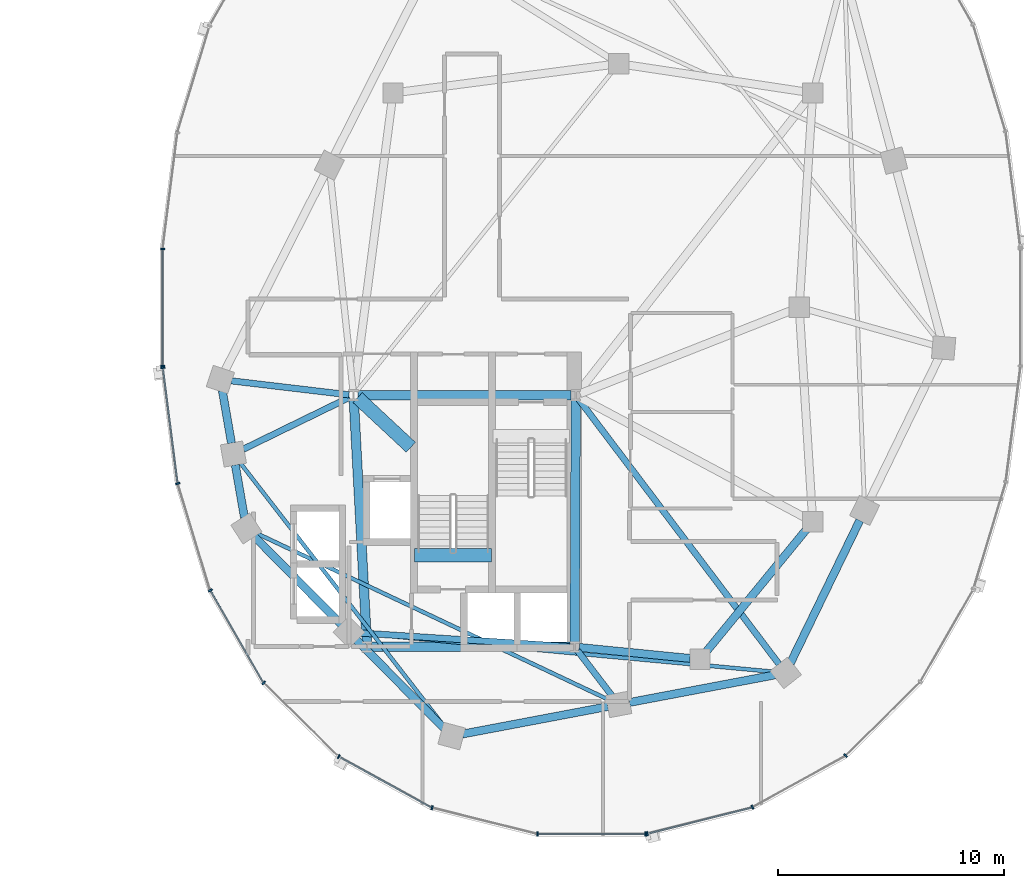
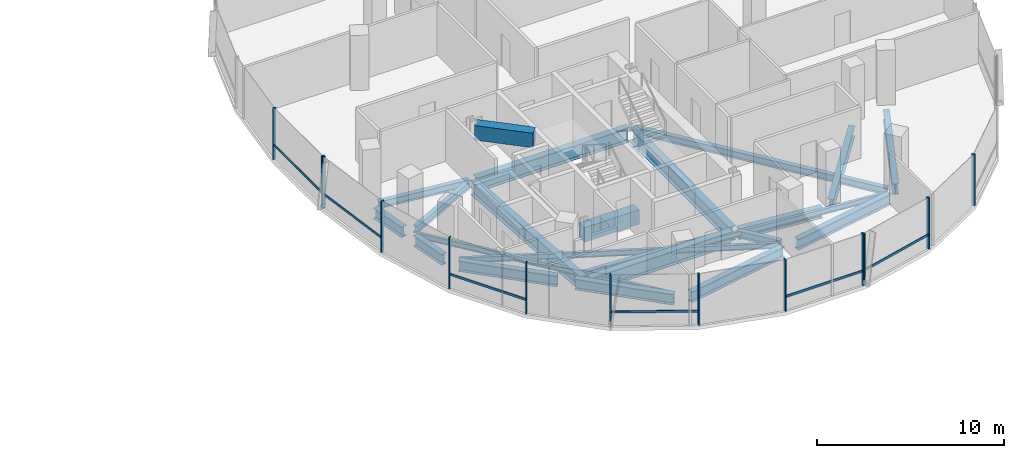
# One storey, part 6 of 23: 23 beams, 19 members, 3 elements without a shape of their own.
"""IFC4 building model written with IfcOpenShell, lengths in metres."""

from ifc_helpers import new_model, si_unit, direction, frame, origin, origin_2d, place, context, subcontext, project, spatial, rectangle, i_section, extrude, material, material_profile, profile_set, type_object, element, aggregate, save


model = new_model("IFC4")

# Units and contexts
model_context = context("Model", 3, precision=1e-05, world=origin(), true_north=direction((0.0, 1.0)))
body_context = subcontext(model_context, "Body", "Model", "MODEL_VIEW")
ifc_project = project(units=[si_unit("LENGTHUNIT", "METRE"), si_unit("AREAUNIT", "SQUARE_METRE"), si_unit("VOLUMEUNIT", "CUBIC_METRE"), si_unit("PLANEANGLEUNIT", "RADIAN"), si_unit("MASSUNIT", "GRAM", prefix="KILO"), si_unit("THERMODYNAMICTEMPERATUREUNIT", "KELVIN"), si_unit("POWERUNIT", "WATT")], contexts=[model_context])

# Site, building, storey
site_placement = place(None, origin())
site = spatial("IfcSite", under=ifc_project, at=site_placement, CompositionType="ELEMENT")
building_placement = place(site_placement, origin())
building = spatial("IfcBuilding", under=site, at=building_placement, Name="Cundina Bronze Exchange", CompositionType="ELEMENT")
storey_placement = place(building_placement, frame((0.0, 0.0, 176.39990234375)))
storey = spatial("IfcBuildingStorey", under=building, at=storey_placement, Name="L46", CompositionType="ELEMENT", Elevation=176.39990234375)

# Beams
ifc_material_1 = material(Name="Concrete C60/75", Category="concrete")
ifc_material_profile_1 = material_profile(ifc_material_1, rectangle(XDim=0.60009765625, YDim=0.949951171875, at=origin_2d()), Name="RC600X950", Category="concrete")
ifc_profile_set_1 = profile_set([ifc_material_profile_1], Name="Concrete C60/75")
beam_type_1 = type_object("IfcBeamType", Name="BM-COUP-RC950", PredefinedType="LINTEL", material=ifc_profile_set_1)
beam_1_placement = place(storey_placement, frame((24.159912109375, -10.97998046875, -0.474853515625), z_axis=(1.0, 0.0, 0.0), x_axis=(0.0, 1.0, 0.0)))
element("IfcBeam", 1, at=beam_1_placement, inside=storey, type_object=beam_type_1, Name="L46 Stair E2 Landing Header Beam", PredefinedType="LINTEL", context=body_context, shape_type="SweptSolid", body=[
    extrude(rectangle(XDim=0.60009765625, YDim=0.949951171875, at=origin_2d()), origin(), (0.0, 0.0, 1.0), 3.400146484375),
])
beam_2_placement = place(storey_placement, frame((21.6298828125, -4.0, 2.885009765625), z_axis=(0.731490439815, -0.681851696822, 0.0), x_axis=(0.681851696822, 0.731490439815, 0.0)))
element("IfcBeam", 2, at=beam_2_placement, inside=storey, type_object=beam_type_1, Name="L46 E Core Shear Coupling Lintel Beam", PredefinedType="LINTEL", context=body_context, shape_type="SweptSolid", body=[
    extrude(rectangle(XDim=0.60009765625, YDim=0.949951171875, at=origin_2d()), origin(), (0.0, 0.0, 1.0), 3.226318359375),
])
ifc_material_2 = material(Name="Steel ASTM A992 Grade 50", Category="steel")
ifc_material_profile_2 = material_profile(ifc_material_2, i_section(OverallWidth=0.280029296875, OverallDepth=0.462890625, WebThickness=0.0107421875, FlangeThickness=0.017333984375, FilletRadius=0.011962890625, at=origin_2d()), Name="W18X76", Category="steel")
ifc_profile_set_2 = profile_set([ifc_material_profile_2], Name="Steel ASTM A992 Grade 50")
beam_type_2 = type_object("IfcBeamType", Name="BM-FLR-W18A", PredefinedType="BEAM", material=ifc_profile_set_2)
beam_3_placement = place(storey_placement, frame((21.247314453125, -3.8759765625, -0.471435546875), z_axis=(-0.993036158382, 0.11780996624, 0.0), x_axis=(-0.11780996624, -0.993036158382, 0.0)))
element("IfcBeam", 3, at=beam_3_placement, inside=storey, type_object=beam_type_2, Name="L46 Leg E Chordal Floor Beam 00", PredefinedType="BEAM", context=body_context, shape_type="SweptSolid", body=[
    extrude(i_section(OverallWidth=0.280029296875, OverallDepth=0.462890625, WebThickness=0.0107421875, FlangeThickness=0.017333984375, FilletRadius=0.011962890625, at=origin_2d()), origin(), (0.0, 0.0, 1.0), 5.249267578125),
])
beam_4_placement = place(storey_placement, frame((21.2666015625, -3.989501953125, -0.471435546875), z_axis=(-0.898604300669, -0.438759969481, 0.0), x_axis=(0.438759969481, -0.898604300669, 0.0)))
element("IfcBeam", 4, at=beam_4_placement, inside=storey, type_object=beam_type_2, Name="L46 Leg E Chordal Floor Beam 01", PredefinedType="BEAM", context=body_context, shape_type="SweptSolid", body=[
    extrude(i_section(OverallWidth=0.280029296875, OverallDepth=0.462890625, WebThickness=0.0107421875, FlangeThickness=0.017333984375, FilletRadius=0.011962890625, at=origin_2d()), origin(), (0.0, 0.0, 1.0), 5.23388671875),
])
beam_5_placement = place(storey_placement, frame((31.04638671875, -15.036865234375, -0.471435546875), z_axis=(-0.99789334888, 0.064875760192, 0.0), x_axis=(-0.064875760192, -0.99789334888, 0.0)))
element("IfcBeam", 5, at=beam_5_placement, inside=storey, type_object=beam_type_2, Name="L46 Leg E Chordal Floor Beam 03", PredefinedType="BEAM", context=body_context, shape_type="SweptSolid", body=[
    extrude(i_section(OverallWidth=0.280029296875, OverallDepth=0.462890625, WebThickness=0.0107421875, FlangeThickness=0.017333984375, FilletRadius=0.011962890625, at=origin_2d()), origin(), (0.0, 0.0, 1.0), 9.328857421875),
])
beam_6_placement = place(storey_placement, frame((31.373779296875, -15.2119140625, -0.471435546875), z_axis=(0.607450107571, -0.794357832977, 0.0), x_axis=(0.794357832977, 0.607450107571, 0.0)))
element("IfcBeam", 6, at=beam_6_placement, inside=storey, type_object=beam_type_2, Name="L46 Leg E Chordal Floor Beam 05", PredefinedType="BEAM", context=body_context, shape_type="SweptSolid", body=[
    extrude(i_section(OverallWidth=0.280029296875, OverallDepth=0.462890625, WebThickness=0.0107421875, FlangeThickness=0.017333984375, FilletRadius=0.011962890625, at=origin_2d()), origin(), (0.0, 0.0, 1.0), 2.518310546875),
])
beam_7_placement = place(storey_placement, frame((31.423095703125, -4.062744140625, -0.471435546875), z_axis=(0.603103901721, -0.797662637792, 0.0), x_axis=(0.797662637792, 0.603103901721, 0.0)))
element("IfcBeam", 7, at=beam_7_placement, inside=storey, type_object=beam_type_2, Name="L46 Leg E Chordal Floor Beam 06", PredefinedType="BEAM", context=body_context, shape_type="SweptSolid", body=[
    extrude(i_section(OverallWidth=0.280029296875, OverallDepth=0.462890625, WebThickness=0.0107421875, FlangeThickness=0.017333984375, FilletRadius=0.011962890625, at=origin_2d()), origin(), (0.0, 0.0, 1.0), 14.72802734375),
])
ifc_material_profile_3 = material_profile(ifc_material_2, i_section(OverallWidth=0.172119140625, OverallDepth=0.35791015625, WebThickness=0.0078125, FlangeThickness=0.01318359375, FilletRadius=0.010009765625, at=origin_2d()), Name="W14X38", Category="steel")
ifc_profile_set_3 = profile_set([ifc_material_profile_3], Name="Steel ASTM A992 Grade 50")
beam_type_3 = type_object("IfcBeamType", Name="BM-JST-W14", PredefinedType="JOIST", material=ifc_profile_set_3)
beam_8_placement = place(storey_placement, frame((16.423583984375, -6.885986328125, -0.4189453125), z_axis=(0.61208354334, -0.790793105668, 0.0), x_axis=(0.790793105668, 0.61208354334, 0.0)))
element("IfcBeam", 8, at=beam_8_placement, inside=storey, type_object=beam_type_3, Name="L46 Leg E Lobe Floor Joist 01-04", PredefinedType="JOIST", context=body_context, shape_type="SweptSolid", body=[
    extrude(i_section(OverallWidth=0.172119140625, OverallDepth=0.35791015625, WebThickness=0.0078125, FlangeThickness=0.01318359375, FilletRadius=0.010009765625, at=origin_2d()), origin(), (0.0, 0.0, 1.0), 14.830810546875),
])
beam_9_placement = place(storey_placement, frame((17.14111328125, -10.008544921875, -0.4189453125), z_axis=(0.904074252188, -0.427375416385, 0.0), x_axis=(0.427375416385, 0.904074252188, 0.0)))
element("IfcBeam", 9, at=beam_9_placement, inside=storey, type_object=beam_type_3, Name="L46 Leg E Lobe Floor Joist 02-05", PredefinedType="JOIST", context=body_context, shape_type="SweptSolid", body=[
    extrude(i_section(OverallWidth=0.172119140625, OverallDepth=0.35791015625, WebThickness=0.0078125, FlangeThickness=0.01318359375, FilletRadius=0.010009765625, at=origin_2d()), origin(), (0.0, 0.0, 1.0), 17.274658203125),
])
beam_10_placement = place(storey_placement, frame((21.73583984375, -14.4453125, -0.4189453125), z_axis=(0.995701840093, -0.092616659595, 0.0), x_axis=(0.092616659595, 0.995701840093, 0.0)))
element("IfcBeam", 10, at=beam_10_placement, inside=storey, type_object=beam_type_3, Name="L46 Leg E Lobe Floor Joist 03-06", PredefinedType="JOIST", context=body_context, shape_type="SweptSolid", body=[
    extrude(i_section(OverallWidth=0.172119140625, OverallDepth=0.35791015625, WebThickness=0.0078125, FlangeThickness=0.01318359375, FilletRadius=0.010009765625, at=origin_2d()), origin(), (0.0, 0.0, 1.0), 18.45751953125),
])
ifc_material_profile_4 = material_profile(ifc_material_2, i_section(OverallWidth=0.35498046875, OverallDepth=0.695068359375, WebThickness=0.015380859375, FlangeThickness=0.02490234375, FilletRadius=0.01806640625, at=origin_2d()), Name="W27X146", Category="steel")
ifc_profile_set_4 = profile_set([ifc_material_profile_4], Name="Steel ASTM A992 Grade 50")
beam_type_4 = type_object("IfcBeamType", Name="BM-RING-W27", PredefinedType="USERDEFINED", material=ifc_profile_set_4)
beam_11_placement = place(storey_placement, frame((31.452880859375, -15.070068359375, -0.58740234375), z_axis=(0.995123020608, -0.098641643622, 0.0), x_axis=(0.098641643622, 0.995123020608, 0.0)))
element("IfcBeam", 11, at=beam_11_placement, inside=storey, type_object=beam_type_4, Name="L46 E Inner Structural Ring Girder 01", ObjectType="GIRDER", PredefinedType="USERDEFINED", context=body_context, shape_type="SweptSolid", body=[
    extrude(i_section(OverallWidth=0.35498046875, OverallDepth=0.695068359375, WebThickness=0.015380859375, FlangeThickness=0.02490234375, FilletRadius=0.01806640625, at=origin_2d()), origin(), (0.0, 0.0, 1.0), 4.935302734375),
])
beam_12_placement = place(storey_placement, frame((37.07763671875, -15.26123046875, -0.58740234375), z_axis=(0.633912590175, 0.77340469873, 0.0), x_axis=(-0.77340469873, 0.633912590175, 0.0)))
element("IfcBeam", 12, at=beam_12_placement, inside=storey, type_object=beam_type_4, Name="L46 E Inner Structural Ring Girder 02", ObjectType="GIRDER", PredefinedType="USERDEFINED", context=body_context, shape_type="SweptSolid", body=[
    extrude(i_section(OverallWidth=0.35498046875, OverallDepth=0.695068359375, WebThickness=0.015380859375, FlangeThickness=0.02490234375, FilletRadius=0.01806640625, at=origin_2d()), origin(), (0.0, 0.0, 1.0), 7.01123046875),
])
for number, where, z_axis, x_axis, name in (
    (13, (15.6337890625, -3.680908203125, -0.58740234375), (0.171666718895, -0.985155083032, 0.0), (0.985155083032, 0.171666718895, 0.0), "L46 E Perimeter Ring Girder 00"),
    (14, (16.208740234375, -6.980712890625, -0.58740234375), (0.171666718895, -0.985155083032, 0.0), (0.985155083032, 0.171666718895, 0.0), "L46 E Perimeter Ring Girder 01"),
):
    element("IfcBeam", number, at=place(storey_placement, frame(where, z_axis=z_axis, x_axis=x_axis)), inside=storey, type_object=beam_type_4, Name=name, ObjectType="GIRDER", PredefinedType="USERDEFINED", context=body_context, shape_type="SweptSolid", body=[
        extrude(i_section(OverallWidth=0.35498046875, OverallDepth=0.695068359375, WebThickness=0.015380859375, FlangeThickness=0.02490234375, FilletRadius=0.01806640625, at=origin_2d()), origin(), (0.0, 0.0, 1.0), 2.37353515625),
    ])
beam_13_placement = place(storey_placement, frame((17.043212890625, -10.14697265625, -0.58740234375), z_axis=(0.703230112979, -0.710962311378, 0.0), x_axis=(0.710962311378, 0.703230112979, 0.0)))
element("IfcBeam", 15, at=beam_13_placement, inside=storey, type_object=beam_type_4, Name="L46 E Perimeter Ring Girder 02", ObjectType="GIRDER", PredefinedType="USERDEFINED", context=body_context, shape_type="SweptSolid", body=[
    extrude(i_section(OverallWidth=0.35498046875, OverallDepth=0.695068359375, WebThickness=0.015380859375, FlangeThickness=0.02490234375, FilletRadius=0.01806640625, at=origin_2d()), origin(), (0.0, 0.0, 1.0), 5.493896484375),
])
beam_14_placement = place(storey_placement, frame((21.59326171875, -14.746826171875, -0.58740234375), z_axis=(0.703207895705, -0.710984286337, 0.0), x_axis=(0.710984286337, 0.703207895705, 0.0)))
element("IfcBeam", 16, at=beam_14_placement, inside=storey, type_object=beam_type_4, Name="L46 E Perimeter Ring Girder 03", ObjectType="GIRDER", PredefinedType="USERDEFINED", context=body_context, shape_type="SweptSolid", body=[
    extrude(i_section(OverallWidth=0.35498046875, OverallDepth=0.695068359375, WebThickness=0.015380859375, FlangeThickness=0.02490234375, FilletRadius=0.01806640625, at=origin_2d()), origin(), (0.0, 0.0, 1.0), 5.494140625),
])
beam_15_placement = place(storey_placement, frame((26.279541015625, -18.9091796875, -0.58740234375), z_axis=(0.982571532667, 0.185884865421, 0.0), x_axis=(-0.185884865421, 0.982571532667, 0.0)))
element("IfcBeam", 17, at=beam_15_placement, inside=storey, type_object=beam_type_4, Name="L46 E Perimeter Ring Girder 04", ObjectType="GIRDER", PredefinedType="USERDEFINED", context=body_context, shape_type="SweptSolid", body=[
    extrude(i_section(OverallWidth=0.35498046875, OverallDepth=0.695068359375, WebThickness=0.015380859375, FlangeThickness=0.02490234375, FilletRadius=0.01806640625, at=origin_2d()), origin(), (0.0, 0.0, 1.0), 6.55517578125),
])
beam_16_placement = place(storey_placement, frame((33.679443359375, -17.50927734375, -0.58740234375), z_axis=(0.982572819495, 0.185878063226, 0.0), x_axis=(-0.185878063226, 0.982572819495, 0.0)))
element("IfcBeam", 18, at=beam_16_placement, inside=storey, type_object=beam_type_4, Name="L46 E Perimeter Ring Girder 05", ObjectType="GIRDER", PredefinedType="USERDEFINED", context=body_context, shape_type="SweptSolid", body=[
    extrude(i_section(OverallWidth=0.35498046875, OverallDepth=0.695068359375, WebThickness=0.015380859375, FlangeThickness=0.02490234375, FilletRadius=0.01806640625, at=origin_2d()), origin(), (0.0, 0.0, 1.0), 6.555419921875),
])
beam_17_placement = place(storey_placement, frame((40.8134765625, -15.760986328125, -0.58740234375), z_axis=(0.437196998825, 0.89936576776, 0.0), x_axis=(-0.89936576776, 0.437196998825, 0.0)))
element("IfcBeam", 19, at=beam_17_placement, inside=storey, type_object=beam_type_4, Name="L46 E Perimeter Ring Girder 06", ObjectType="GIRDER", PredefinedType="USERDEFINED", context=body_context, shape_type="SweptSolid", body=[
    extrude(i_section(OverallWidth=0.35498046875, OverallDepth=0.695068359375, WebThickness=0.015380859375, FlangeThickness=0.02490234375, FilletRadius=0.01806640625, at=origin_2d()), origin(), (0.0, 0.0, 1.0), 7.029541015625),
])
ifc_material_profile_5 = material_profile(ifc_material_2, i_section(OverallWidth=0.41796875, OverallDepth=0.927001953125, WebThickness=0.019287109375, FlangeThickness=0.031982421875, FilletRadius=0.02392578125, at=origin_2d()), Name="W36X231", Category="steel")
ifc_profile_set_5 = profile_set([ifc_material_profile_5], Name="Steel ASTM A992 Grade 50")
beam_type_5 = type_object("IfcBeamType", Name="BM-WRN-W36B", PredefinedType="USERDEFINED", material=ifc_profile_set_5)
beam_18_placement = place(storey_placement, frame((31.095947265625, -3.89990234375, -0.703369140625), z_axis=(-1.0, 0.0, 0.0), x_axis=(0.0, -1.0, 0.0)))
element("IfcBeam", 20, at=beam_18_placement, inside=storey, type_object=beam_type_5, Name="L46 E Core Perimeter Tie Girder 1", ObjectType="GIRDER", PredefinedType="USERDEFINED", context=body_context, shape_type="SweptSolid", body=[
    extrude(i_section(OverallWidth=0.41796875, OverallDepth=0.927001953125, WebThickness=0.019287109375, FlangeThickness=0.031982421875, FilletRadius=0.02392578125, at=origin_2d()), origin(), (0.0, 0.0, 1.0), 9.44189453125),
])
beam_19_placement = place(storey_placement, frame((21.4609375, -4.103759765625, -0.703369140625), z_axis=(0.053739193498, -0.998555005537, 0.0), x_axis=(0.998555005537, 0.053739193498, 0.0)))
element("IfcBeam", 21, at=beam_19_placement, inside=storey, type_object=beam_type_5, Name="L46 E Core Perimeter Tie Girder 2", ObjectType="GIRDER", PredefinedType="USERDEFINED", context=body_context, shape_type="SweptSolid", body=[
    extrude(i_section(OverallWidth=0.41796875, OverallDepth=0.927001953125, WebThickness=0.019287109375, FlangeThickness=0.031982421875, FilletRadius=0.02392578125, at=origin_2d()), origin(), (0.0, 0.0, 1.0), 10.758056640625),
])
beam_20_placement = place(storey_placement, frame((22.25390625, -15.050048828125, -0.703369140625), z_axis=(1.0, 0.0, 0.0), x_axis=(0.0, 1.0, 0.0)))
element("IfcBeam", 22, at=beam_20_placement, inside=storey, type_object=beam_type_5, Name="L46 E Core Perimeter Tie Girder 3", ObjectType="GIRDER", PredefinedType="USERDEFINED", context=body_context, shape_type="SweptSolid", body=[
    extrude(i_section(OverallWidth=0.41796875, OverallDepth=0.927001953125, WebThickness=0.019287109375, FlangeThickness=0.031982421875, FilletRadius=0.02392578125, at=origin_2d()), origin(), (0.0, 0.0, 1.0), 8.7919921875),
])
beam_21_placement = place(storey_placement, frame((31.2509765625, -14.845947265625, -0.703369140625), z_axis=(0.004477329608, 0.99998997671, 0.0), x_axis=(-0.99998997671, 0.004477329608, 0.0)))
element("IfcBeam", 23, at=beam_21_placement, inside=storey, type_object=beam_type_5, Name="L46 E Core Perimeter Tie Girder 4", ObjectType="GIRDER", PredefinedType="USERDEFINED", context=body_context, shape_type="SweptSolid", body=[
    extrude(i_section(OverallWidth=0.41796875, OverallDepth=0.927001953125, WebThickness=0.019287109375, FlangeThickness=0.031982421875, FilletRadius=0.02392578125, at=origin_2d()), origin(), (0.0, 0.0, 1.0), 10.741943359375),
])

# Curtain wall, members
ifc_material_3 = material(Name="Anodised Bronze Aluminium 6063-T6", Category="aluminium")
curtain_wall_type = type_object("IfcCurtainWallType", Name="CWS-WST-PIN", PredefinedType="NOTDEFINED", material=ifc_material_3)
curtain_wall_1_placement = place(storey_placement, origin())
curtain_wall_1 = element("IfcCurtainWall", 24, at=curtain_wall_1_placement, inside=storey, type_object=curtain_wall_type, Name="L46 CW-04 Curtain Wall Run CWR-L46-E2", PredefinedType="NOTDEFINED")
ifc_material_profile_6 = material_profile(ifc_material_3, rectangle(XDim=0.070068359375, YDim=0.18994140625, at=origin_2d()), Name="AL70X190", Category="aluminium")
ifc_profile_set_6 = profile_set([ifc_material_profile_6], Name="Anodised Bronze Aluminium 6063-T6")
member_type_1 = type_object("IfcMemberType", Name="CWM-MUL-190", PredefinedType="MULLION", material=ifc_profile_set_6)
member_1_placement = place(storey_placement, frame((12.992919921875, 2.593017578125, 0.0), z_axis=(0.0, 0.0, 1.0), x_axis=(0.0, -1.0, 0.0)))
member_1 = element("IfcMember", 25, at=member_1_placement, type_object=member_type_1, Name="CW-04 Mullion 7", PredefinedType="MULLION", context=body_context, shape_type="SweptSolid", body=[
    extrude(rectangle(XDim=0.070068359375, YDim=0.18994140625, at=origin_2d()), origin(), (0.0, 0.0, 1.0), 3.360107421875),
])
member_2_placement = place(storey_placement, frame((12.992919921875, -2.593017578125, 0.0), z_axis=(0.0, 0.0, 1.0), x_axis=(0.0, -1.0, 0.0)))
member_2 = element("IfcMember", 26, at=member_2_placement, type_object=member_type_1, Name="CW-04 End Mullion", PredefinedType="MULLION", context=body_context, shape_type="SweptSolid", body=[
    extrude(rectangle(XDim=0.070068359375, YDim=0.18994140625, at=origin_2d()), origin(), (0.0, 0.0, 1.0), 3.360107421875),
])

curtain_wall_2_placement = place(storey_placement, origin())
curtain_wall_2 = element("IfcCurtainWall", 27, at=curtain_wall_2_placement, inside=storey, type_object=curtain_wall_type, Name="L46 CW-04 Curtain Wall Run CWR-L46-E3", PredefinedType="NOTDEFINED")
member_3_placement = place(storey_placement, frame((12.998291015625, -2.676025390625, 0.0), z_axis=(0.0, 0.0, 1.0), x_axis=(0.126545236492, -0.991960837494, 0.0)))
member_3 = element("IfcMember", 28, at=member_3_placement, type_object=member_type_1, Name="CW-04 Mullion 1", PredefinedType="MULLION", context=body_context, shape_type="SweptSolid", body=[
    extrude(rectangle(XDim=0.070068359375, YDim=0.18994140625, at=origin_2d()), origin(), (0.0, 0.0, 1.0), 3.360107421875),
])
member_4_placement = place(storey_placement, frame((13.6591796875, -7.80859375, 0.0), z_axis=(0.0, 0.0, 1.0), x_axis=(0.290034140915, -0.957016299288, 0.0)))
member_4 = element("IfcMember", 29, at=member_4_placement, type_object=member_type_1, Name="CW-04 Mullion 2", PredefinedType="MULLION", context=body_context, shape_type="SweptSolid", body=[
    extrude(rectangle(XDim=0.070068359375, YDim=0.18994140625, at=origin_2d()), origin(), (0.0, 0.0, 1.0), 3.360107421875),
])
member_5_placement = place(storey_placement, frame((15.10205078125, -12.541259765625, 0.0), z_axis=(0.0, 0.0, 1.0), x_axis=(0.498487739754, -0.866896748936, 0.0)))
member_5 = element("IfcMember", 30, at=member_5_placement, type_object=member_type_1, Name="CW-04 Mullion 3", PredefinedType="MULLION", context=body_context, shape_type="SweptSolid", body=[
    extrude(rectangle(XDim=0.070068359375, YDim=0.18994140625, at=origin_2d()), origin(), (0.0, 0.0, 1.0), 3.360107421875),
])
member_6_placement = place(storey_placement, frame((17.469482421875, -16.640380859375, 0.0), z_axis=(0.0, 0.0, 1.0), x_axis=(0.712026045991, -0.702153052995, 0.0)))
member_6 = element("IfcMember", 31, at=member_6_placement, type_object=member_type_1, Name="CW-04 Mullion 4", PredefinedType="MULLION", context=body_context, shape_type="SweptSolid", body=[
    extrude(rectangle(XDim=0.070068359375, YDim=0.18994140625, at=origin_2d()), origin(), (0.0, 0.0, 1.0), 3.360107421875),
])
member_7_placement = place(storey_placement, frame((20.79345703125, -19.906005859375, 0.0), z_axis=(0.0, 0.0, 1.0), x_axis=(0.875885937035, -0.482518212408, 0.0)))
member_7 = element("IfcMember", 32, at=member_7_placement, type_object=member_type_1, Name="CW-04 Mullion 5", PredefinedType="MULLION", context=body_context, shape_type="SweptSolid", body=[
    extrude(rectangle(XDim=0.070068359375, YDim=0.18994140625, at=origin_2d()), origin(), (0.0, 0.0, 1.0), 3.360107421875),
])
member_8_placement = place(storey_placement, frame((24.932373046875, -22.17626953125, 0.0), z_axis=(0.0, 0.0, 1.0), x_axis=(0.970084240161, -0.242768546132, 0.0)))
member_8 = element("IfcMember", 33, at=member_8_placement, type_object=member_type_1, Name="CW-04 Mullion 6", PredefinedType="MULLION", context=body_context, shape_type="SweptSolid", body=[
    extrude(rectangle(XDim=0.070068359375, YDim=0.18994140625, at=origin_2d()), origin(), (0.0, 0.0, 1.0), 3.360107421875),
])
member_9_placement = place(storey_placement, frame((29.60595703125, -23.3369140625, 0.0), z_axis=(0.0, 0.0, 1.0), x_axis=(1.0, 0.0, 0.0)))
member_9 = element("IfcMember", 34, at=member_9_placement, type_object=member_type_1, Name="CW-04 Mullion 7", PredefinedType="MULLION", context=body_context, shape_type="SweptSolid", body=[
    extrude(rectangle(XDim=0.070068359375, YDim=0.18994140625, at=origin_2d()), origin(), (0.0, 0.0, 1.0), 3.360107421875),
])
member_10_placement = place(storey_placement, frame((34.39404296875, -23.3369140625, 0.0), z_axis=(0.0, 0.0, 1.0), x_axis=(1.0, 0.0, 0.0)))
member_10 = element("IfcMember", 35, at=member_10_placement, type_object=member_type_1, Name="CW-04 End Mullion", PredefinedType="MULLION", context=body_context, shape_type="SweptSolid", body=[
    extrude(rectangle(XDim=0.070068359375, YDim=0.18994140625, at=origin_2d()), origin(), (0.0, 0.0, 1.0), 3.360107421875),
])

curtain_wall_3_placement = place(storey_placement, origin())
curtain_wall_3 = element("IfcCurtainWall", 36, at=curtain_wall_3_placement, inside=storey, type_object=curtain_wall_type, Name="L46 CW-04 Curtain Wall Run CWR-L46-E4", PredefinedType="NOTDEFINED")
member_11_placement = place(storey_placement, frame((34.462646484375, -23.32861328125, 0.0), z_axis=(0.0, 0.0, 1.0), x_axis=(0.970084240161, 0.242768546132, 0.0)))
member_11 = element("IfcMember", 37, at=member_11_placement, type_object=member_type_1, Name="CW-04 Mullion 1", PredefinedType="MULLION", context=body_context, shape_type="SweptSolid", body=[
    extrude(rectangle(XDim=0.070068359375, YDim=0.18994140625, at=origin_2d()), origin(), (0.0, 0.0, 1.0), 3.360107421875),
])
member_12_placement = place(storey_placement, frame((39.13037109375, -22.151611328125, 0.0), z_axis=(0.0, 0.0, 1.0), x_axis=(0.875885937035, 0.482518212408, 0.0)))
member_12 = element("IfcMember", 38, at=member_12_placement, type_object=member_type_1, Name="CW-04 Mullion 2", PredefinedType="MULLION", context=body_context, shape_type="SweptSolid", body=[
    extrude(rectangle(XDim=0.070068359375, YDim=0.18994140625, at=origin_2d()), origin(), (0.0, 0.0, 1.0), 3.360107421875),
])
member_13_placement = place(storey_placement, frame((43.259033203125, -19.86669921875, 0.0), z_axis=(0.0, 0.0, 1.0), x_axis=(0.712026045991, 0.702153052995, 0.0)))
member_13 = element("IfcMember", 39, at=member_13_placement, type_object=member_type_1, Name="CW-04 Mullion 3", PredefinedType="MULLION", context=body_context, shape_type="SweptSolid", body=[
    extrude(rectangle(XDim=0.070068359375, YDim=0.18994140625, at=origin_2d()), origin(), (0.0, 0.0, 1.0), 3.360107421875),
])

# Member
ifc_material_profile_7 = material_profile(ifc_material_3, rectangle(XDim=0.06494140625, YDim=0.14990234375, at=origin_2d()), Name="AL65X150", Category="aluminium")
ifc_profile_set_7 = profile_set([ifc_material_profile_7], Name="Anodised Bronze Aluminium 6063-T6")
member_type_2 = type_object("IfcMemberType", Name="CWM-TRN-150", PredefinedType="USERDEFINED", material=ifc_profile_set_7)
member_14_placement = place(storey_placement, frame((12.992919921875, 2.554443359375, 0.920166015625), z_axis=(0.0, -1.0, 0.0), x_axis=(1.0, 0.0, 0.0)))
member_14 = element("IfcMember", 40, at=member_14_placement, type_object=member_type_2, Name="CW-04 Spandrel Transom 7", ObjectType="TRANSOM", PredefinedType="USERDEFINED", context=body_context, shape_type="SweptSolid", body=[
    extrude(rectangle(XDim=0.06494140625, YDim=0.14990234375, at=origin_2d()), origin(), (0.0, 0.0, 1.0), 5.10888671875),
])

aggregate(curtain_wall_1, [member_1, member_2, member_14])

member_15_placement = place(storey_placement, frame((13.003173828125, -2.71435546875, 0.920166015625), z_axis=(0.12646340362, -0.991971273548, 0.0), x_axis=(0.991971273548, 0.12646340362, 0.0)))
member_15 = element("IfcMember", 41, at=member_15_placement, type_object=member_type_2, Name="CW-04 Spandrel Transom 1", ObjectType="TRANSOM", PredefinedType="USERDEFINED", context=body_context, shape_type="SweptSolid", body=[
    extrude(rectangle(XDim=0.06494140625, YDim=0.14990234375, at=origin_2d()), origin(), (0.0, 0.0, 1.0), 5.0966796875),
])

member_16_placement = place(storey_placement, frame((15.121337890625, -12.574462890625, 0.920166015625), z_axis=(0.498479967047, -0.866901218394, 0.0), x_axis=(0.866901218394, 0.498479967047, 0.0)))
member_16 = element("IfcMember", 42, at=member_16_placement, type_object=member_type_2, Name="CW-04 Spandrel Transom 3", ObjectType="TRANSOM", PredefinedType="USERDEFINED", context=body_context, shape_type="SweptSolid", body=[
    extrude(rectangle(XDim=0.06494140625, YDim=0.14990234375, at=origin_2d()), origin(), (0.0, 0.0, 1.0), 4.66845703125),
])

member_17_placement = place(storey_placement, frame((20.8271484375, -19.924560546875, 0.920166015625), z_axis=(0.875878981549, -0.482530838062, 0.0), x_axis=(0.482530838062, 0.875878981549, 0.0)))
member_17 = element("IfcMember", 43, at=member_17_placement, type_object=member_type_2, Name="CW-04 Spandrel Transom 5", ObjectType="TRANSOM", PredefinedType="USERDEFINED", context=body_context, shape_type="SweptSolid", body=[
    extrude(rectangle(XDim=0.06494140625, YDim=0.14990234375, at=origin_2d()), origin(), (0.0, 0.0, 1.0), 4.65380859375),
])

member_18_placement = place(storey_placement, frame((29.64453125, -23.3369140625, 0.920166015625), z_axis=(1.0, 0.0, 0.0), x_axis=(0.0, 1.0, 0.0)))
member_18 = element("IfcMember", 44, at=member_18_placement, type_object=member_type_2, Name="CW-04 Spandrel Transom 7", ObjectType="TRANSOM", PredefinedType="USERDEFINED", context=body_context, shape_type="SweptSolid", body=[
    extrude(rectangle(XDim=0.06494140625, YDim=0.14990234375, at=origin_2d()), origin(), (0.0, 0.0, 1.0), 4.7109375),
])

aggregate(curtain_wall_2, [member_3, member_15, member_4, member_5, member_16, member_6, member_7, member_17, member_8, member_9, member_10, member_18])

member_19_placement = place(storey_placement, frame((34.5, -23.319091796875, 0.920166015625), z_axis=(0.970100130035, 0.242705042606, 0.0), x_axis=(-0.242705042606, 0.970100130035, 0.0)))
member_19 = element("IfcMember", 45, at=member_19_placement, type_object=member_type_2, Name="CW-04 Spandrel Transom 1", ObjectType="TRANSOM", PredefinedType="USERDEFINED", context=body_context, shape_type="SweptSolid", body=[
    extrude(rectangle(XDim=0.06494140625, YDim=0.14990234375, at=origin_2d()), origin(), (0.0, 0.0, 1.0), 4.746826171875),
])

aggregate(curtain_wall_3, [member_11, member_19, member_12, member_13])

save(model, "model.ifc")
